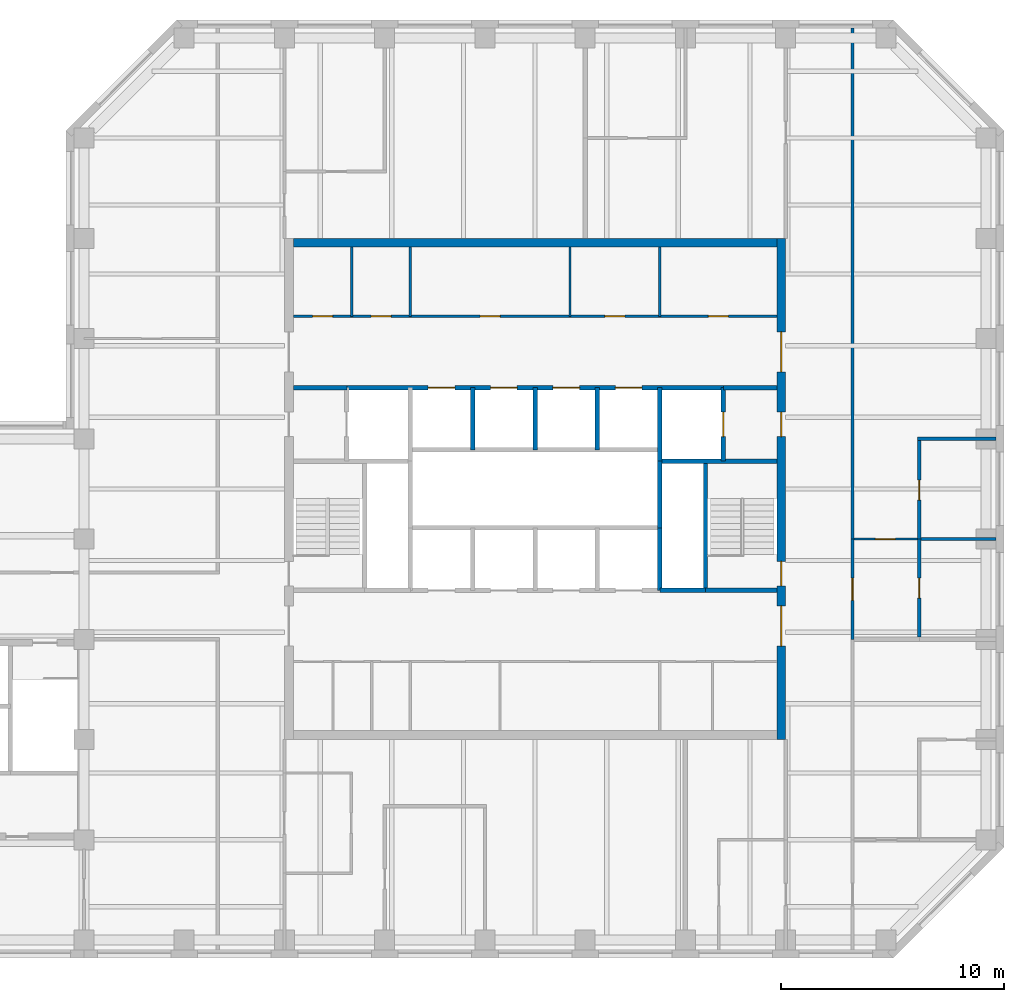
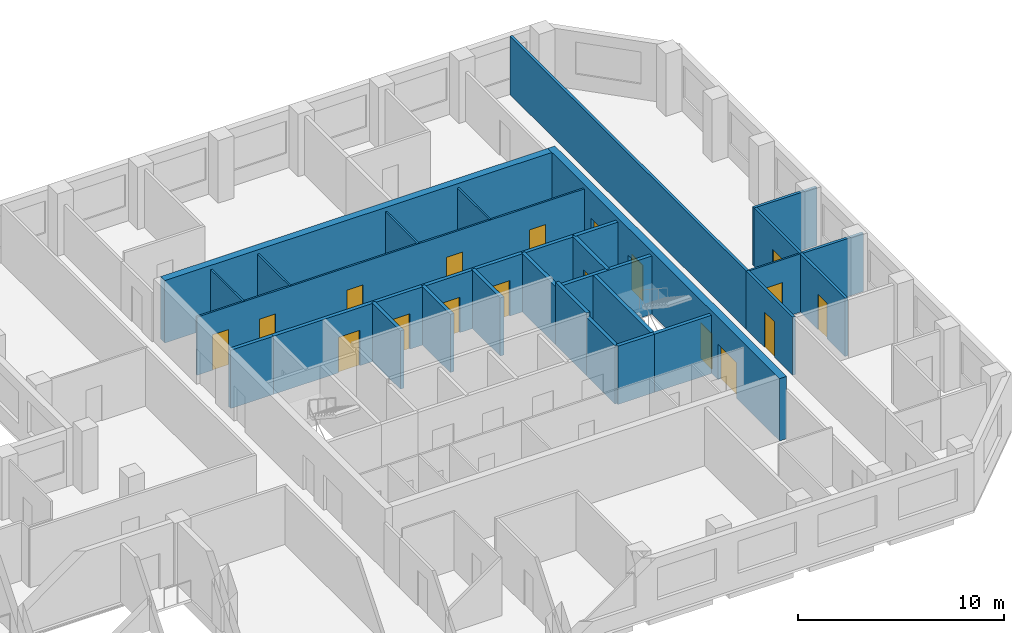
# One storey, part 6 of 9: 28 walls, 18 doors, 18 openings.
"""IFC4 building model written with IfcOpenShell, lengths in metres."""

from ifc_helpers import new_model, si_unit, direction, frame, frame_2d, origin, place, context, subcontext, project, spatial, rectangle, extrude, material, layer, layer_set, type_object, element, fill, save


model = new_model("IFC4")

# Units and contexts
model_context = context("Model", 3, precision=1e-05, world=origin(), true_north=direction((0.0, 1.0)))
body_context = subcontext(model_context, "Body", "Model", "MODEL_VIEW")
ifc_project = project(units=[si_unit("LENGTHUNIT", "METRE"), si_unit("AREAUNIT", "SQUARE_METRE"), si_unit("VOLUMEUNIT", "CUBIC_METRE"), si_unit("PLANEANGLEUNIT", "RADIAN"), si_unit("MASSUNIT", "GRAM", prefix="KILO")], contexts=[model_context])

# Site, building, storey
site_placement = place(None, origin())
site = spatial("IfcSite", under=ifc_project, at=site_placement, CompositionType="ELEMENT")
building_placement = place(site_placement, origin())
building = spatial("IfcBuilding", under=site, at=building_placement, Name="Quoin Convention Tower", CompositionType="ELEMENT")
storey_placement = place(building_placement, frame((0.0, 0.0, 260.0)))
storey = spatial("IfcBuildingStorey", under=building, at=storey_placement, Name="L68", CompositionType="ELEMENT", Elevation=260.0)

# Walls
ifc_material_1 = material(Name="Plasterboard")
ifc_layer_1 = layer(ifc_material_1, 0.012451171875, Name="Finish")
ifc_material_2 = material(Name="Steel stud framing", Category="steel")
ifc_layer_2 = layer(ifc_material_2, 0.125, Name="Structure")
ifc_layer_3 = layer(ifc_material_1, 0.012451171875, Name="Finish")
ifc_layer_set_1 = layer_set([ifc_layer_1, ifc_layer_2, ifc_layer_3], Name="Steel stud framing")
wall_type_1 = type_object("IfcWallType", Name="Acoustic partition 150", PredefinedType="PARTITIONING", material=ifc_layer_set_1)
wall_1_placement = place(storey_placement, frame((73.574951171875, 58.5, 0.0), z_axis=(0.0, 0.0, 1.0), x_axis=(1.0, 0.0, 0.0)))
element("IfcWall", 1, at=wall_1_placement, inside=storey, type_object=wall_type_1, Name="pw-L68-016", PredefinedType="PARTITIONING", context=body_context, shape_type="SweptSolid", body=[
    extrude(rectangle(XDim=3.375, YDim=0.14990234375, at=frame_2d((1.6875, 0.0))), origin(), (0.0, 0.0, 1.0), 3.449951171875),
])
wall_2_placement = place(storey_placement, frame((73.425048828125, 63.0, 0.0), z_axis=(0.0, 0.0, 1.0), x_axis=(1.0, 0.0, 0.0)))
element("IfcWall", 2, at=wall_2_placement, inside=storey, type_object=wall_type_1, Name="pw-L68-017", PredefinedType="PARTITIONING", context=body_context, shape_type="SweptSolid", body=[
    extrude(rectangle(XDim=3.52490234375, YDim=0.14990234375, at=frame_2d((1.762451171875, 0.0))), origin(), (0.0, 0.0, 1.0), 3.449951171875),
])

# Wall, opening, door
wall_3_placement = place(storey_placement, frame((73.5, 54.10009765625, 0.0), z_axis=(0.0, 0.0, 1.0), x_axis=(0.0, 1.0, 0.0)))
wall_3 = element("IfcWall", 3, at=wall_3_placement, inside=storey, type_object=wall_type_1, Name="pw-L68-040", PredefinedType="PARTITIONING", context=body_context, shape_type="SweptSolid", body=[
    extrude(rectangle(XDim=4.39990234375, YDim=0.14990234375, at=frame_2d((2.199951171875, 0.0))), origin(), (0.0, 0.0, 1.0), 3.449951171875),
])
opening_1_placement = place(wall_3_placement, frame((1.75, 0.0, 0.0)))
opening_1 = element("IfcOpeningElement", 4, at=opening_1_placement, cuts=wall_3, Name="Opening DOHS-15", PredefinedType="OPENING", context=body_context, shape_type="SweptSolid", body=[
    extrude(rectangle(XDim=0.89990234375, YDim=2.10009765625, at=frame_2d((0.449951171875, 1.050048828125))), frame((0.0, 0.0849609375, 0.0), z_axis=(0.0, -1.0, 0.0), x_axis=(1.0, 0.0, 0.0)), (0.0, 0.0, 1.0), 0.169921875),
])
ifc_material_3 = material(Name="Steel door leaf", Category="steel")
door_type_1 = type_object("IfcDoorType", Name="Office door 900 x 2100", OperationType="SINGLE_SWING_RIGHT", PredefinedType="DOOR", material=ifc_material_3)
door_1_placement = place(opening_1_placement, frame((0.89990234375, 0.0, 0.0), z_axis=(0.0, 0.0, 1.0), x_axis=(-1.0, 0.0, 0.0)))
door_1 = element("IfcDoor", 5, at=door_1_placement, inside=storey, type_object=door_type_1, Name="dr-L68-19", OperationType="SINGLE_SWING_LEFT", OverallHeight=2.10009765625, OverallWidth=0.89990234375, PredefinedType="DOOR", context=body_context, shape_type="SweptSolid", body=[
    extrude(rectangle(XDim=0.89990234375, YDim=2.10009765625, at=frame_2d((0.449951171875, 1.050048828125))), frame((0.0, 0.02490234375, 0.0), z_axis=(0.0, -1.0, 0.0), x_axis=(1.0, 0.0, 0.0)), (0.0, 0.0, 1.0), 0.050048828125),
])
fill(opening_1, door_1)

wall_4_placement = place(storey_placement, frame((73.5, 58.5, 0.0), z_axis=(0.0, 0.0, 1.0), x_axis=(0.0, 1.0, 0.0)))
wall_4 = element("IfcWall", 6, at=wall_4_placement, inside=storey, type_object=wall_type_1, Name="pw-L68-043", PredefinedType="PARTITIONING", context=body_context, shape_type="SweptSolid", body=[
    extrude(rectangle(XDim=4.425048828125, YDim=0.14990234375, at=frame_2d((2.21240234375, 0.0))), origin(), (0.0, 0.0, 1.0), 3.449951171875),
])
opening_2_placement = place(wall_4_placement, frame((1.75, 0.0, 0.0)))
opening_2 = element("IfcOpeningElement", 7, at=opening_2_placement, cuts=wall_4, Name="Opening DOHS-16", PredefinedType="OPENING", context=body_context, shape_type="SweptSolid", body=[
    extrude(rectangle(XDim=0.89990234375, YDim=2.10009765625, at=frame_2d((0.449951171875, 1.050048828125))), frame((0.0, 0.0849609375, 0.0), z_axis=(0.0, -1.0, 0.0), x_axis=(1.0, 0.0, 0.0)), (0.0, 0.0, 1.0), 0.169921875),
])
door_2_placement = place(opening_2_placement, origin())
door_2 = element("IfcDoor", 8, at=door_2_placement, inside=storey, type_object=door_type_1, Name="dr-L68-20", OperationType="SINGLE_SWING_LEFT", OverallHeight=2.10009765625, OverallWidth=0.89990234375, PredefinedType="DOOR", context=body_context, shape_type="SweptSolid", body=[
    extrude(rectangle(XDim=0.89990234375, YDim=2.10009765625, at=frame_2d((0.449951171875, 1.050048828125))), frame((0.0, 0.02490234375, 0.0), z_axis=(0.0, -1.0, 0.0), x_axis=(1.0, 0.0, 0.0)), (0.0, 0.0, 1.0), 0.050048828125),
])
fill(opening_2, door_2)

# Wall, openings, doors
ifc_layer_4 = layer(ifc_material_1, 0.012451171875, Name="Finish")
ifc_layer_5 = layer(ifc_material_2, 0.074951171875, Name="Structure")
ifc_layer_6 = layer(ifc_material_1, 0.012451171875, Name="Finish")
ifc_layer_set_2 = layer_set([ifc_layer_4, ifc_layer_5, ifc_layer_6], Name="Steel stud framing")
wall_type_2 = type_object("IfcWallType", Name="Core partition wall", PredefinedType="PARTITIONING", material=ifc_layer_set_2)
wall_5_placement = place(storey_placement, frame((45.39990234375, 68.5, 0.0), z_axis=(0.0, 0.0, 1.0), x_axis=(1.0, 0.0, 0.0)))
wall_5 = element("IfcWall", 9, at=wall_5_placement, inside=storey, type_object=wall_type_2, Name="cr-C1-L68-h19000_400", PredefinedType="PARTITIONING", context=body_context, shape_type="SweptSolid", body=[
    extrude(rectangle(XDim=21.7001953125, YDim=0.10009765625, at=frame_2d((10.85009765625, 0.0))), origin(), (0.0, 0.0, 1.0), 3.449951171875),
])
opening_3_placement = place(wall_5_placement, frame((18.625, 0.0, 0.0)))
opening_3 = element("IfcOpeningElement", 10, at=opening_3_placement, cuts=wall_5, Name="Opening DCV5-15", PredefinedType="OPENING", context=body_context, shape_type="SweptSolid", body=[
    extrude(rectangle(XDim=0.89990234375, YDim=2.10009765625, at=frame_2d((0.449951171875, 1.050048828125))), frame((0.0, 0.06005859375, 0.0), z_axis=(0.0, -1.0, 0.0), x_axis=(1.0, 0.0, 0.0)), (0.0, 0.0, 1.0), 0.1201171875),
])
opening_4_placement = place(wall_5_placement, frame((0.862548828125, 0.0, 0.0)))
opening_4 = element("IfcOpeningElement", 11, at=opening_4_placement, cuts=wall_5, Name="Opening DCV5-08", PredefinedType="OPENING", context=body_context, shape_type="SweptSolid", body=[
    extrude(rectangle(XDim=0.89990234375, YDim=2.10009765625, at=frame_2d((0.449951171875, 1.050048828125))), frame((0.0, 0.06005859375, 0.0), z_axis=(0.0, -1.0, 0.0), x_axis=(1.0, 0.0, 0.0)), (0.0, 0.0, 1.0), 0.1201171875),
])
opening_5_placement = place(wall_5_placement, frame((3.487548828125, 0.0, 0.0)))
opening_5 = element("IfcOpeningElement", 12, at=opening_5_placement, cuts=wall_5, Name="Opening DCV5-09", PredefinedType="OPENING", context=body_context, shape_type="SweptSolid", body=[
    extrude(rectangle(XDim=0.89990234375, YDim=2.10009765625, at=frame_2d((0.449951171875, 1.050048828125))), frame((0.0, 0.06005859375, 0.0), z_axis=(0.0, -1.0, 0.0), x_axis=(1.0, 0.0, 0.0)), (0.0, 0.0, 1.0), 0.1201171875),
])
opening_6_placement = place(wall_5_placement, frame((13.98388671875, 0.0, 0.0)))
opening_6 = element("IfcOpeningElement", 13, at=opening_6_placement, cuts=wall_5, Name="Opening DCV5-13", PredefinedType="OPENING", context=body_context, shape_type="SweptSolid", body=[
    extrude(rectangle(XDim=0.89990234375, YDim=2.10009765625, at=frame_2d((0.449951171875, 1.050048828125))), frame((0.0, 0.06005859375, 0.0), z_axis=(0.0, -1.0, 0.0), x_axis=(1.0, 0.0, 0.0)), (0.0, 0.0, 1.0), 0.1201171875),
])
opening_7_placement = place(wall_5_placement, frame((8.384033203125, 0.0, 0.0)))
opening_7 = element("IfcOpeningElement", 14, at=opening_7_placement, cuts=wall_5, Name="Opening DCV5-11", PredefinedType="OPENING", context=body_context, shape_type="SweptSolid", body=[
    extrude(rectangle(XDim=0.89990234375, YDim=2.10009765625, at=frame_2d((0.449951171875, 1.050048828125))), frame((0.0, 0.06005859375, 0.0), z_axis=(0.0, -1.0, 0.0), x_axis=(1.0, 0.0, 0.0)), (0.0, 0.0, 1.0), 0.1201171875),
])
door_type_2 = type_object("IfcDoorType", Name="Core room door 900 x 2100", OperationType="SINGLE_SWING_LEFT", PredefinedType="DOOR", material=ifc_material_3)
door_3_placement = place(opening_3_placement, origin())
door_3 = element("IfcDoor", 15, at=door_3_placement, inside=storey, type_object=door_type_2, Name="cd-C1-L68-CNE0-lobB-CD6807", OperationType="SINGLE_SWING_LEFT", OverallHeight=2.10009765625, OverallWidth=0.89990234375, PredefinedType="DOOR", context=body_context, shape_type="SweptSolid", body=[
    extrude(rectangle(XDim=0.89990234375, YDim=2.10009765625, at=frame_2d((0.449951171875, 1.050048828125))), frame((0.0, 0.02490234375, 0.0), z_axis=(0.0, -1.0, 0.0), x_axis=(1.0, 0.0, 0.0)), (0.0, 0.0, 1.0), 0.050048828125),
])
fill(opening_3, door_3)
door_4_placement = place(opening_4_placement, origin())
door_4 = element("IfcDoor", 16, at=door_4_placement, inside=storey, type_object=door_type_2, Name="cd-C1-L68-CNW0-lobB-CD6808", OperationType="SINGLE_SWING_RIGHT", OverallHeight=2.10009765625, OverallWidth=0.89990234375, PredefinedType="DOOR", context=body_context, shape_type="SweptSolid", body=[
    extrude(rectangle(XDim=0.89990234375, YDim=2.10009765625, at=frame_2d((0.449951171875, 1.050048828125))), frame((0.0, 0.02490234375, 0.0), z_axis=(0.0, -1.0, 0.0), x_axis=(1.0, 0.0, 0.0)), (0.0, 0.0, 1.0), 0.050048828125),
])
fill(opening_4, door_4)
door_5_placement = place(opening_5_placement, origin())
door_5 = element("IfcDoor", 17, at=door_5_placement, inside=storey, type_object=door_type_2, Name="cd-C1-L68-CNW1-lobB-CD6809", OperationType="SINGLE_SWING_RIGHT", OverallHeight=2.10009765625, OverallWidth=0.89990234375, PredefinedType="DOOR", context=body_context, shape_type="SweptSolid", body=[
    extrude(rectangle(XDim=0.89990234375, YDim=2.10009765625, at=frame_2d((0.449951171875, 1.050048828125))), frame((0.0, 0.02490234375, 0.0), z_axis=(0.0, -1.0, 0.0), x_axis=(1.0, 0.0, 0.0)), (0.0, 0.0, 1.0), 0.050048828125),
])
fill(opening_5, door_5)
door_6_placement = place(opening_6_placement, origin())
door_6 = element("IfcDoor", 18, at=door_6_placement, inside=storey, type_object=door_type_2, Name="cd-C1-L68-F40-lobB-CD6817", OperationType="SINGLE_SWING_RIGHT", OverallHeight=2.10009765625, OverallWidth=0.89990234375, PredefinedType="DOOR", context=body_context, shape_type="SweptSolid", body=[
    extrude(rectangle(XDim=0.89990234375, YDim=2.10009765625, at=frame_2d((0.449951171875, 1.050048828125))), frame((0.0, 0.02490234375, 0.0), z_axis=(0.0, -1.0, 0.0), x_axis=(1.0, 0.0, 0.0)), (0.0, 0.0, 1.0), 0.050048828125),
])
fill(opening_6, door_6)
door_7_placement = place(opening_7_placement, origin())
door_7 = element("IfcDoor", 19, at=door_7_placement, inside=storey, type_object=door_type_2, Name="cd-C1-L68-F41-lobB-CD6818", OperationType="SINGLE_SWING_RIGHT", OverallHeight=2.10009765625, OverallWidth=0.89990234375, PredefinedType="DOOR", context=body_context, shape_type="SweptSolid", body=[
    extrude(rectangle(XDim=0.89990234375, YDim=2.10009765625, at=frame_2d((0.449951171875, 1.050048828125))), frame((0.0, 0.02490234375, 0.0), z_axis=(0.0, -1.0, 0.0), x_axis=(1.0, 0.0, 0.0)), (0.0, 0.0, 1.0), 0.050048828125),
])
fill(opening_7, door_7)

# Walls
for number, where, z_axis, x_axis, name in (
    (20, (48.02490234375, 68.5, 0.0), (0.0, 0.0, 1.0), (0.0, 1.0, 0.0), "cr-C1-L68-v3025_19000"),
    (21, (50.64990234375, 68.5, 0.0), (0.0, 0.0, 1.0), (0.0, 1.0, 0.0), "cr-C1-L68-v5650_19000"),
    (22, (57.818115234375, 68.5, 0.0), (0.0, 0.0, 1.0), (0.0, 1.0, 0.0), "cr-C1-L68-v12818_19000"),
    (23, (61.85009765625, 68.5, 0.0), (0.0, 0.0, 1.0), (0.0, 1.0, 0.0), "cr-C1-L68-v16850_19000"),
):
    element("IfcWall", number, at=place(storey_placement, frame(where, z_axis=z_axis, x_axis=x_axis)), inside=storey, type_object=wall_type_2, Name=name, PredefinedType="PARTITIONING", context=body_context, shape_type="SweptSolid", body=[
        extrude(rectangle(XDim=3.10009765625, YDim=0.10009765625, at=frame_2d((1.550048828125, 0.0))), origin(), (0.0, 0.0, 1.0), 3.449951171875),
    ])
ifc_material_4 = material(Name="Concrete C50", Category="concrete")
ifc_layer_7 = layer(ifc_material_4, 0.199951171875)
ifc_layer_set_3 = layer_set([ifc_layer_7], Name="Concrete C50")
wall_type_3 = type_object("IfcWallType", Name="Core shaft wall", PredefinedType="SOLIDWALL", material=ifc_layer_set_3)
wall_6_placement = place(storey_placement, frame((61.85009765625, 56.199951171875, 0.0), z_axis=(0.0, 0.0, 1.0), x_axis=(1.0, 0.0, 0.0)))
element("IfcWall", 24, at=wall_6_placement, inside=storey, type_object=wall_type_3, Name="cr-C1-L68-h6700_16850", PredefinedType="SOLIDWALL", context=body_context, shape_type="SweptSolid", body=[
    extrude(rectangle(XDim=2.0498046875, YDim=0.199951171875, at=frame_2d((1.02490234375, 0.0))), origin(), (0.0, 0.0, 1.0), 3.449951171875),
])
wall_7_placement = place(storey_placement, frame((63.89990234375, 56.199951171875, 0.0), z_axis=(0.0, 0.0, 1.0), x_axis=(1.0, 0.0, 0.0)))
element("IfcWall", 25, at=wall_7_placement, inside=storey, type_object=wall_type_3, Name="cr-C1-L68-h6700_18900", PredefinedType="SOLIDWALL", context=body_context, shape_type="SweptSolid", body=[
    extrude(rectangle(XDim=3.2001953125, YDim=0.199951171875, at=frame_2d((1.60009765625, 0.0))), origin(), (0.0, 0.0, 1.0), 3.449951171875),
])
wall_8_placement = place(storey_placement, frame((61.85009765625, 62.0, 0.0), z_axis=(0.0, 0.0, 1.0), x_axis=(1.0, 0.0, 0.0)))
element("IfcWall", 26, at=wall_8_placement, inside=storey, type_object=wall_type_3, Name="cr-C1-L68-h12500_16850", PredefinedType="SOLIDWALL", context=body_context, shape_type="SweptSolid", body=[
    extrude(rectangle(XDim=5.25, YDim=0.199951171875, at=frame_2d((2.625, 0.0))), origin(), (0.0, 0.0, 1.0), 3.449951171875),
])
for number, where, z_axis, x_axis, name in (
    (27, (45.39990234375, 65.300048828125, 0.0), (0.0, 0.0, 1.0), (1.0, 0.0, 0.0), "cr-C1-L68-h15800_400"),
    (28, (64.699951171875, 65.300048828125, 0.0), (0.0, 0.0, 1.0), (1.0, 0.0, 0.0), "cr-C1-L68-h15800_19700"),
):
    element("IfcWall", number, at=place(storey_placement, frame(where, z_axis=z_axis, x_axis=x_axis)), inside=storey, type_object=wall_type_3, Name=name, PredefinedType="SOLIDWALL", context=body_context, shape_type="SweptSolid", body=[
        extrude(rectangle(XDim=2.400146484375, YDim=0.199951171875, at=frame_2d((1.2001953125, 0.0))), origin(), (0.0, 0.0, 1.0), 3.449951171875),
    ])

# Wall, openings, doors
wall_9_placement = place(storey_placement, frame((47.800048828125, 65.300048828125, 0.0), z_axis=(0.0, 0.0, 1.0), x_axis=(1.0, 0.0, 0.0)))
wall_9 = element("IfcWall", 29, at=wall_9_placement, inside=storey, type_object=wall_type_3, Name="cr-C1-L68-h15800_2800", PredefinedType="SOLIDWALL", context=body_context, shape_type="SweptSolid", body=[
    extrude(rectangle(XDim=16.89990234375, YDim=0.199951171875, at=frame_2d((8.449951171875, 0.0))), origin(), (0.0, 0.0, 1.0), 3.449951171875),
])
opening_8_placement = place(wall_9_placement, frame((3.64990234375, 0.0, 0.0)))
opening_8 = element("IfcOpeningElement", 30, at=opening_8_placement, cuts=wall_9, Name="Opening LDH5", PredefinedType="OPENING", context=body_context, shape_type="SweptSolid", body=[
    extrude(rectangle(XDim=1.199951171875, YDim=2.10009765625, at=frame_2d((0.60009765625, 1.050048828125))), frame((0.0, 0.10986328125, 0.0), z_axis=(0.0, -1.0, 0.0), x_axis=(1.0, 0.0, 0.0)), (0.0, 0.0, 1.0), 0.219970703125),
])
opening_9_placement = place(wall_9_placement, frame((6.449951171875, 0.0, 0.0)))
opening_9 = element("IfcOpeningElement", 31, at=opening_9_placement, cuts=wall_9, Name="Opening LDH6", PredefinedType="OPENING", context=body_context, shape_type="SweptSolid", body=[
    extrude(rectangle(XDim=1.199951171875, YDim=2.10009765625, at=frame_2d((0.60009765625, 1.050048828125))), frame((0.0, 0.10986328125, 0.0), z_axis=(0.0, -1.0, 0.0), x_axis=(1.0, 0.0, 0.0)), (0.0, 0.0, 1.0), 0.219970703125),
])
opening_10_placement = place(wall_9_placement, frame((9.25, 0.0, 0.0)))
opening_10 = element("IfcOpeningElement", 32, at=opening_10_placement, cuts=wall_9, Name="Opening LDH7", PredefinedType="OPENING", context=body_context, shape_type="SweptSolid", body=[
    extrude(rectangle(XDim=1.199951171875, YDim=2.10009765625, at=frame_2d((0.60009765625, 1.050048828125))), frame((0.0, 0.10986328125, 0.0), z_axis=(0.0, -1.0, 0.0), x_axis=(1.0, 0.0, 0.0)), (0.0, 0.0, 1.0), 0.219970703125),
])
opening_11_placement = place(wall_9_placement, frame((12.050048828125, 0.0, 0.0)))
opening_11 = element("IfcOpeningElement", 33, at=opening_11_placement, cuts=wall_9, Name="Opening LDH8", PredefinedType="OPENING", context=body_context, shape_type="SweptSolid", body=[
    extrude(rectangle(XDim=1.199951171875, YDim=2.10009765625, at=frame_2d((0.60009765625, 1.050048828125))), frame((0.0, 0.10986328125, 0.0), z_axis=(0.0, -1.0, 0.0), x_axis=(1.0, 0.0, 0.0)), (0.0, 0.0, 1.0), 0.219970703125),
])
door_type_3 = type_object("IfcDoorType", Name="Lift landing door 1200 x 2100", OperationType="DOUBLE_DOOR_SLIDING", PredefinedType="DOOR", material=ifc_material_3)
door_8_placement = place(opening_8_placement, origin())
door_8 = element("IfcDoor", 34, at=door_8_placement, inside=storey, type_object=door_type_3, Name="cd-C1-L68-R30-lobB-LDH5", OperationType="DOUBLE_DOOR_SLIDING", OverallHeight=2.10009765625, OverallWidth=1.199951171875, PredefinedType="DOOR", context=body_context, shape_type="SweptSolid", body=[
    extrude(rectangle(XDim=1.199951171875, YDim=2.10009765625, at=frame_2d((0.60009765625, 1.050048828125))), frame((0.0, 0.02490234375, 0.0), z_axis=(0.0, -1.0, 0.0), x_axis=(1.0, 0.0, 0.0)), (0.0, 0.0, 1.0), 0.050048828125),
])
fill(opening_8, door_8)
door_9_placement = place(opening_9_placement, origin())
door_9 = element("IfcDoor", 35, at=door_9_placement, inside=storey, type_object=door_type_3, Name="cd-C1-L68-R31-lobB-LDH6", OperationType="DOUBLE_DOOR_SLIDING", OverallHeight=2.10009765625, OverallWidth=1.199951171875, PredefinedType="DOOR", context=body_context, shape_type="SweptSolid", body=[
    extrude(rectangle(XDim=1.199951171875, YDim=2.10009765625, at=frame_2d((0.60009765625, 1.050048828125))), frame((0.0, 0.02490234375, 0.0), z_axis=(0.0, -1.0, 0.0), x_axis=(1.0, 0.0, 0.0)), (0.0, 0.0, 1.0), 0.050048828125),
])
fill(opening_9, door_9)
door_10_placement = place(opening_10_placement, origin())
door_10 = element("IfcDoor", 36, at=door_10_placement, inside=storey, type_object=door_type_3, Name="cd-C1-L68-R32-lobB-LDH7", OperationType="DOUBLE_DOOR_SLIDING", OverallHeight=2.10009765625, OverallWidth=1.199951171875, PredefinedType="DOOR", context=body_context, shape_type="SweptSolid", body=[
    extrude(rectangle(XDim=1.199951171875, YDim=2.10009765625, at=frame_2d((0.60009765625, 1.050048828125))), frame((0.0, 0.02490234375, 0.0), z_axis=(0.0, -1.0, 0.0), x_axis=(1.0, 0.0, 0.0)), (0.0, 0.0, 1.0), 0.050048828125),
])
fill(opening_10, door_10)
door_11_placement = place(opening_11_placement, origin())
door_11 = element("IfcDoor", 37, at=door_11_placement, inside=storey, type_object=door_type_3, Name="cd-C1-L68-R33-lobB-LDH8", OperationType="DOUBLE_DOOR_SLIDING", OverallHeight=2.10009765625, OverallWidth=1.199951171875, PredefinedType="DOOR", context=body_context, shape_type="SweptSolid", body=[
    extrude(rectangle(XDim=1.199951171875, YDim=2.10009765625, at=frame_2d((0.60009765625, 1.050048828125))), frame((0.0, 0.02490234375, 0.0), z_axis=(0.0, -1.0, 0.0), x_axis=(1.0, 0.0, 0.0)), (0.0, 0.0, 1.0), 0.050048828125),
])
fill(opening_11, door_11)

# Walls
for number, where, z_axis, x_axis, name in (
    (38, (53.449951171875, 62.5, 0.0), (0.0, 0.0, 1.0), (0.0, 1.0, 0.0), "cr-C1-L68-v8450_13000"),
    (39, (56.25, 62.5, 0.0), (0.0, 0.0, 1.0), (0.0, 1.0, 0.0), "cr-C1-L68-v11250_13000"),
    (40, (59.050048828125, 62.5, 0.0), (0.0, 0.0, 1.0), (0.0, 1.0, 0.0), "cr-C1-L68-v14050_13000"),
    (41, (61.85009765625, 56.199951171875, 0.0), (0.0, 0.0, 1.0), (0.0, 1.0, 0.0), "cr-C1-L68-v16850_6700"),
):
    element("IfcWall", number, at=place(storey_placement, frame(where, z_axis=z_axis, x_axis=x_axis)), inside=storey, type_object=wall_type_3, Name=name, PredefinedType="SOLIDWALL", context=body_context, shape_type="SweptSolid", body=[
        extrude(rectangle(XDim=2.800048828125, YDim=0.199951171875, at=frame_2d((1.39990234375, 0.0))), origin(), (0.0, 0.0, 1.0), 3.449951171875),
    ])
wall_10_placement = place(storey_placement, frame((61.85009765625, 62.0, 0.0), z_axis=(0.0, 0.0, 1.0), x_axis=(0.0, 1.0, 0.0)))
element("IfcWall", 42, at=wall_10_placement, inside=storey, type_object=wall_type_3, Name="cr-C1-L68-v16850_12500", PredefinedType="SOLIDWALL", context=body_context, shape_type="SweptSolid", body=[
    extrude(rectangle(XDim=3.300048828125, YDim=0.199951171875, at=frame_2d((1.64990234375, 0.0))), origin(), (0.0, 0.0, 1.0), 3.449951171875),
])
wall_11_placement = place(storey_placement, frame((63.89990234375, 56.199951171875, 0.0), z_axis=(0.0, 0.0, 1.0), x_axis=(0.0, 1.0, 0.0)))
element("IfcWall", 43, at=wall_11_placement, inside=storey, type_object=wall_type_3, Name="cr-C1-L68-v18900_6700", PredefinedType="SOLIDWALL", context=body_context, shape_type="SweptSolid", body=[
    extrude(rectangle(XDim=5.800048828125, YDim=0.199951171875, at=frame_2d((2.89990234375, 0.0))), origin(), (0.0, 0.0, 1.0), 3.449951171875),
])

# Wall, opening, door
wall_12_placement = place(storey_placement, frame((64.699951171875, 62.0, 0.0), z_axis=(0.0, 0.0, 1.0), x_axis=(0.0, 1.0, 0.0)))
wall_12 = element("IfcWall", 44, at=wall_12_placement, inside=storey, type_object=wall_type_3, Name="cr-C1-L68-v19700_12500", PredefinedType="SOLIDWALL", context=body_context, shape_type="SweptSolid", body=[
    extrude(rectangle(XDim=3.300048828125, YDim=0.199951171875, at=frame_2d((1.64990234375, 0.0))), origin(), (0.0, 0.0, 1.0), 3.449951171875),
])
opening_12_placement = place(wall_12_placement, frame((1.10009765625, 0.0, 0.0)))
opening_12 = element("IfcOpeningElement", 45, at=opening_12_placement, cuts=wall_12, Name="Opening LDFL2", PredefinedType="OPENING", context=body_context, shape_type="SweptSolid", body=[
    extrude(rectangle(XDim=1.10009765625, YDim=2.10009765625, at=frame_2d((0.550048828125, 1.050048828125))), frame((0.0, 0.10986328125, 0.0), z_axis=(0.0, -1.0, 0.0), x_axis=(1.0, 0.0, 0.0)), (0.0, 0.0, 1.0), 0.219970703125),
])
door_type_4 = type_object("IfcDoorType", Name="Lift landing door 1100 x 2100", OperationType="DOUBLE_DOOR_SLIDING", PredefinedType="DOOR", material=ifc_material_3)
door_12_placement = place(opening_12_placement, origin())
door_12 = element("IfcDoor", 46, at=door_12_placement, inside=storey, type_object=door_type_4, Name="cd-C1-L68-FLE-FFE-LDFL2", OperationType="DOUBLE_DOOR_SLIDING", OverallHeight=2.10009765625, OverallWidth=1.10009765625, PredefinedType="DOOR", context=body_context, shape_type="SweptSolid", body=[
    extrude(rectangle(XDim=1.10009765625, YDim=2.10009765625, at=frame_2d((0.550048828125, 1.050048828125))), frame((0.0, 0.02490234375, 0.0), z_axis=(0.0, -1.0, 0.0), x_axis=(1.0, 0.0, 0.0)), (0.0, 0.0, 1.0), 0.050048828125),
])
fill(opening_12, door_12)

# Wall
ifc_layer_8 = layer(ifc_material_4, 0.199951171875)
ifc_layer_set_4 = layer_set([ifc_layer_8], Name="Concrete C50")
wall_type_4 = type_object("IfcWallType", Name="Core shaft wall to the floor level over", PredefinedType="SOLIDWALL", material=ifc_layer_set_4)
wall_13_placement = place(storey_placement, frame((61.85009765625, 59.0, 0.0), z_axis=(0.0, 0.0, 1.0), x_axis=(0.0, 1.0, 0.0)))
element("IfcWall", 47, at=wall_13_placement, inside=storey, type_object=wall_type_4, Name="cr-C1-L68-v16850_9500", PredefinedType="SOLIDWALL", context=body_context, shape_type="SweptSolid", body=[
    extrude(rectangle(XDim=3.0, YDim=0.199951171875, at=frame_2d((1.5, 0.0))), origin(), (0.0, 0.0, 1.0), 3.699951171875),
])

# Wall, opening, door
ifc_layer_9 = layer(ifc_material_1, 0.012451171875, Name="Finish")
ifc_layer_10 = layer(ifc_material_2, 0.125, Name="Structure")
ifc_layer_11 = layer(ifc_material_1, 0.012451171875, Name="Finish")
ifc_layer_set_5 = layer_set([ifc_layer_9, ifc_layer_10, ifc_layer_11], Name="Steel stud framing")
wall_type_5 = type_object("IfcWallType", Name="Corridor wall 150", PredefinedType="PARTITIONING", material=ifc_layer_set_5)
wall_14_placement = place(storey_placement, frame((70.5, 54.0, 0.0), z_axis=(0.0, 0.0, 1.0), x_axis=(0.0, 1.0, 0.0)))
wall_14 = element("IfcWall", 48, at=wall_14_placement, inside=storey, type_object=wall_type_5, Name="pw-L68-039", PredefinedType="PARTITIONING", context=body_context, shape_type="SweptSolid", body=[
    extrude(rectangle(XDim=4.5, YDim=0.14990234375, at=frame_2d((2.25, 0.0))), origin(), (0.0, 0.0, 1.0), 3.449951171875),
])
opening_13_placement = place(wall_14_placement, frame((1.75, 0.0, 0.0)))
opening_13 = element("IfcOpeningElement", 49, at=opening_13_placement, cuts=wall_14, Name="Opening DOHS-14", PredefinedType="OPENING", context=body_context, shape_type="SweptSolid", body=[
    extrude(rectangle(XDim=1.0, YDim=2.10009765625, at=frame_2d((0.5, 1.050048828125))), frame((0.0, 0.0849609375, 0.0), z_axis=(0.0, -1.0, 0.0), x_axis=(1.0, 0.0, 0.0)), (0.0, 0.0, 1.0), 0.169921875),
])
door_type_5 = type_object("IfcDoorType", Name="Tenancy entrance door 1000 x 2100", OperationType="DOUBLE_DOOR_SINGLE_SWING", PredefinedType="DOOR", material=ifc_material_3)
door_13_placement = place(opening_13_placement, frame((1.0, 0.0, 0.0), z_axis=(0.0, 0.0, 1.0), x_axis=(-1.0, 0.0, 0.0)))
door_13 = element("IfcDoor", 50, at=door_13_placement, inside=storey, type_object=door_type_5, Name="dr-L68-17", OperationType="DOUBLE_DOOR_SINGLE_SWING", OverallHeight=2.10009765625, OverallWidth=1.0, PredefinedType="DOOR", context=body_context, shape_type="SweptSolid", body=[
    extrude(rectangle(XDim=1.0, YDim=2.10009765625, at=frame_2d((0.5, 1.050048828125))), frame((0.0, 0.02490234375, 0.0), z_axis=(0.0, -1.0, 0.0), x_axis=(1.0, 0.0, 0.0)), (0.0, 0.0, 1.0), 0.050048828125),
])
fill(opening_13, door_13)

# Walls
wall_15_placement = place(storey_placement, frame((70.5, 58.5, 0.0), z_axis=(0.0, 0.0, 1.0), x_axis=(0.0, 1.0, 0.0)))
element("IfcWall", 51, at=wall_15_placement, inside=storey, type_object=wall_type_5, Name="pw-L68-042", PredefinedType="PARTITIONING", context=body_context, shape_type="SweptSolid", body=[
    extrude(rectangle(XDim=22.949951171875, YDim=0.14990234375, at=frame_2d((11.47509765625, 0.0))), origin(), (0.0, 0.0, 1.0), 3.449951171875),
])
ifc_layer_12 = layer(ifc_material_4, 0.39990234375)
ifc_layer_set_6 = layer_set([ifc_layer_12], Name="Concrete C50")
wall_type_6 = type_object("IfcWallType", Name="RC CORE WALL 400 C50", PredefinedType="SHEAR", material=ifc_layer_set_6)
wall_16_placement = place(storey_placement, frame((45.39990234375, 71.800048828125, 0.0), z_axis=(0.0, 0.0, 1.0), x_axis=(1.0, 0.0, 0.0)))
element("IfcWall", 52, at=wall_16_placement, inside=storey, type_object=wall_type_6, Name="cwl-C1-L68-N", PredefinedType="SHEAR", context=body_context, shape_type="SweptSolid", body=[
    extrude(rectangle(XDim=21.7001953125, YDim=0.39990234375, at=frame_2d((10.85009765625, 0.0))), origin(), (0.0, 0.0, 1.0), 3.699951171875),
])

# Wall, openings, doors
wall_17_placement = place(storey_placement, frame((67.300048828125, 49.5, 0.0), z_axis=(0.0, 0.0, 1.0), x_axis=(0.0, 1.0, 0.0)))
wall_17 = element("IfcWall", 53, at=wall_17_placement, inside=storey, type_object=wall_type_6, Name="cwl-C1-L68-E", PredefinedType="SHEAR", context=body_context, shape_type="SweptSolid", body=[
    extrude(rectangle(XDim=22.5, YDim=0.39990234375, at=frame_2d((11.25, 0.0))), origin(), (0.0, 0.0, 1.0), 3.699951171875),
])
opening_14_placement = place(wall_17_placement, frame((4.199951171875, 0.0, 0.0)))
opening_14 = element("IfcOpeningElement", 54, at=opening_14_placement, cuts=wall_17, Name="Opening DCV5-48", PredefinedType="OPENING", context=body_context, shape_type="SweptSolid", body=[
    extrude(rectangle(XDim=1.800048828125, YDim=2.10009765625, at=frame_2d((0.89990234375, 1.050048828125))), frame((0.0, 0.2099609375, 0.0), z_axis=(0.0, -1.0, 0.0), x_axis=(1.0, 0.0, 0.0)), (0.0, 0.0, 1.0), 0.419921875),
])
opening_15_placement = place(wall_17_placement, frame((6.89990234375, 0.0, 0.0)))
opening_15 = element("IfcOpeningElement", 55, at=opening_15_placement, cuts=wall_17, Name="Opening SD2", PredefinedType="OPENING", context=body_context, shape_type="SweptSolid", body=[
    extrude(rectangle(XDim=1.10009765625, YDim=2.10009765625, at=frame_2d((0.550048828125, 1.050048828125))), frame((0.0, 0.2099609375, 0.0), z_axis=(0.0, -1.0, 0.0), x_axis=(1.0, 0.0, 0.0)), (0.0, 0.0, 1.0), 0.419921875),
])
opening_16_placement = place(wall_17_placement, frame((13.60009765625, 0.0, 0.0)))
opening_16 = element("IfcOpeningElement", 56, at=opening_16_placement, cuts=wall_17, Name="Opening DCV5-47", PredefinedType="OPENING", context=body_context, shape_type="SweptSolid", body=[
    extrude(rectangle(XDim=1.10009765625, YDim=2.10009765625, at=frame_2d((0.550048828125, 1.050048828125))), frame((0.0, 0.2099609375, 0.0), z_axis=(0.0, -1.0, 0.0), x_axis=(1.0, 0.0, 0.0)), (0.0, 0.0, 1.0), 0.419921875),
])
opening_17_placement = place(wall_17_placement, frame((16.5, 0.0, 0.0)))
opening_17 = element("IfcOpeningElement", 57, at=opening_17_placement, cuts=wall_17, Name="Opening DCV5-48", PredefinedType="OPENING", context=body_context, shape_type="SweptSolid", body=[
    extrude(rectangle(XDim=1.800048828125, YDim=2.10009765625, at=frame_2d((0.89990234375, 1.050048828125))), frame((0.0, 0.2099609375, 0.0), z_axis=(0.0, -1.0, 0.0), x_axis=(1.0, 0.0, 0.0)), (0.0, 0.0, 1.0), 0.419921875),
])
door_type_6 = type_object("IfcDoorType", Name="Fire-fighting lobby door 1100 x 2100", OperationType="SINGLE_SWING_LEFT", PredefinedType="DOOR", material=ifc_material_3)
door_14_placement = place(opening_16_placement, origin())
door_14 = element("IfcDoor", 58, at=door_14_placement, inside=storey, type_object=door_type_6, Name="cd-C1-L68-FFE-E", OperationType="SINGLE_SWING_RIGHT", OverallHeight=2.10009765625, OverallWidth=1.10009765625, PredefinedType="DOOR", context=body_context, shape_type="SweptSolid", body=[
    extrude(rectangle(XDim=1.10009765625, YDim=2.10009765625, at=frame_2d((0.550048828125, 1.050048828125))), frame((0.0, 0.02490234375, 0.0), z_axis=(0.0, -1.0, 0.0), x_axis=(1.0, 0.0, 0.0)), (0.0, 0.0, 1.0), 0.050048828125),
])
fill(opening_16, door_14)
door_type_7 = type_object("IfcDoorType", Name="Lift lobby door 1800 x 2100", OperationType="SINGLE_SWING_LEFT", PredefinedType="DOOR", material=ifc_material_3)
door_15_placement = place(opening_14_placement, origin())
door_15 = element("IfcDoor", 59, at=door_15_placement, inside=storey, type_object=door_type_7, Name="cd-C1-L68-lobA-E", OperationType="SINGLE_SWING_RIGHT", OverallHeight=2.10009765625, OverallWidth=1.800048828125, PredefinedType="DOOR", context=body_context, shape_type="SweptSolid", body=[
    extrude(rectangle(XDim=1.800048828125, YDim=2.10009765625, at=frame_2d((0.89990234375, 1.050048828125))), frame((0.0, 0.02490234375, 0.0), z_axis=(0.0, -1.0, 0.0), x_axis=(1.0, 0.0, 0.0)), (0.0, 0.0, 1.0), 0.050048828125),
])
fill(opening_14, door_15)
door_16_placement = place(opening_17_placement, origin())
door_16 = element("IfcDoor", 60, at=door_16_placement, inside=storey, type_object=door_type_7, Name="cd-C1-L68-lobB-E", OperationType="SINGLE_SWING_RIGHT", OverallHeight=2.10009765625, OverallWidth=1.800048828125, PredefinedType="DOOR", context=body_context, shape_type="SweptSolid", body=[
    extrude(rectangle(XDim=1.800048828125, YDim=2.10009765625, at=frame_2d((0.89990234375, 1.050048828125))), frame((0.0, 0.02490234375, 0.0), z_axis=(0.0, -1.0, 0.0), x_axis=(1.0, 0.0, 0.0)), (0.0, 0.0, 1.0), 0.050048828125),
])
fill(opening_17, door_16)
door_type_8 = type_object("IfcDoorType", Name="Stair door 1100 x 2100", OperationType="SINGLE_SWING_RIGHT", PredefinedType="DOOR", material=ifc_material_3)
door_17_placement = place(opening_15_placement, origin())
door_17 = element("IfcDoor", 61, at=door_17_placement, inside=storey, type_object=door_type_8, Name="cd-C1-L68-STE-E", OperationType="SINGLE_SWING_LEFT", OverallHeight=2.10009765625, OverallWidth=1.10009765625, PredefinedType="DOOR", context=body_context, shape_type="SweptSolid", body=[
    extrude(rectangle(XDim=1.10009765625, YDim=2.10009765625, at=frame_2d((0.550048828125, 1.050048828125))), frame((0.0, 0.02490234375, 0.0), z_axis=(0.0, -1.0, 0.0), x_axis=(1.0, 0.0, 0.0)), (0.0, 0.0, 1.0), 0.050048828125),
])
fill(opening_15, door_17)

# Wall, opening, door
ifc_layer_13 = layer(ifc_material_1, 0.012451171875, Name="Finish")
ifc_layer_14 = layer(ifc_material_2, 0.074951171875, Name="Structure")
ifc_layer_15 = layer(ifc_material_1, 0.012451171875, Name="Finish")
ifc_layer_set_7 = layer_set([ifc_layer_13, ifc_layer_14, ifc_layer_15], Name="Steel stud framing")
wall_type_7 = type_object("IfcWallType", Name="Stud partition 100", PredefinedType="PARTITIONING", material=ifc_layer_set_7)
wall_18_placement = place(storey_placement, frame((70.574951171875, 58.5, 0.0), z_axis=(0.0, 0.0, 1.0), x_axis=(1.0, 0.0, 0.0)))
wall_18 = element("IfcWall", 62, at=wall_18_placement, inside=storey, type_object=wall_type_7, Name="pw-L68-015", PredefinedType="PARTITIONING", context=body_context, shape_type="SweptSolid", body=[
    extrude(rectangle(XDim=2.85009765625, YDim=0.10009765625, at=frame_2d((1.425048828125, 0.0))), origin(), (0.0, 0.0, 1.0), 3.449951171875),
])
opening_18_placement = place(wall_18_placement, frame((0.949951171875, 0.0, 0.0)))
opening_18 = element("IfcOpeningElement", 63, at=opening_18_placement, cuts=wall_18, Name="Opening DOHS-04", PredefinedType="OPENING", context=body_context, shape_type="SweptSolid", body=[
    extrude(rectangle(XDim=0.89990234375, YDim=2.10009765625, at=frame_2d((0.449951171875, 1.050048828125))), frame((0.0, 0.06005859375, 0.0), z_axis=(0.0, -1.0, 0.0), x_axis=(1.0, 0.0, 0.0)), (0.0, 0.0, 1.0), 0.1201171875),
])
door_18_placement = place(opening_18_placement, origin())
door_18 = element("IfcDoor", 64, at=door_18_placement, inside=storey, type_object=door_type_1, Name="dr-L68-18", OperationType="SINGLE_SWING_RIGHT", OverallHeight=2.10009765625, OverallWidth=0.89990234375, PredefinedType="DOOR", context=body_context, shape_type="SweptSolid", body=[
    extrude(rectangle(XDim=0.89990234375, YDim=2.10009765625, at=frame_2d((0.449951171875, 1.050048828125))), frame((0.0, 0.02490234375, 0.0), z_axis=(0.0, -1.0, 0.0), x_axis=(1.0, 0.0, 0.0)), (0.0, 0.0, 1.0), 0.050048828125),
])
fill(opening_18, door_18)

save(model, "model.ifc")
